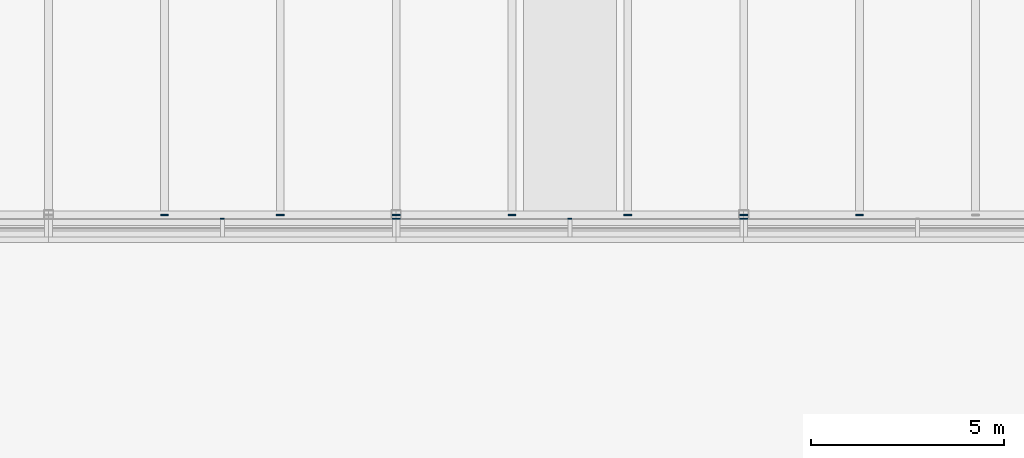
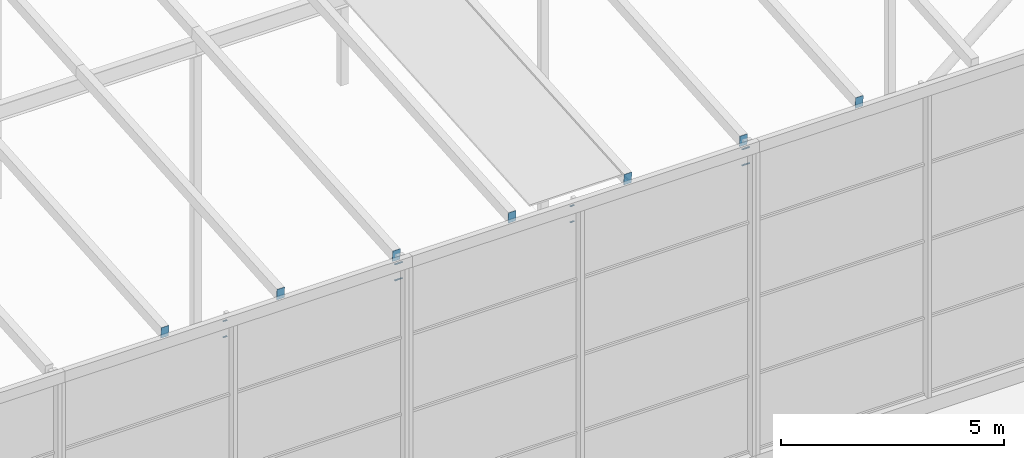
# One storey, part 62 of 84: 19 discrete accessories.
"""IFC4 building model written with IfcOpenShell, lengths in metres."""

from ifc_helpers import new_model, si_unit, direction, frame, origin, origin_2d, place, context, subcontext, project, spatial, rectangle, extrude, material, layer, layer_set, type_object, element, save


model = new_model("IFC4")

# Units and contexts
model_context = context("Model", 3, precision=1e-05, world=origin(), true_north=direction((0.0, 1.0)))
body_context = subcontext(model_context, "Body", "Model", "MODEL_VIEW")
ifc_project = project(units=[si_unit("LENGTHUNIT", "METRE"), si_unit("AREAUNIT", "SQUARE_METRE"), si_unit("VOLUMEUNIT", "CUBIC_METRE"), si_unit("PLANEANGLEUNIT", "RADIAN"), si_unit("MASSUNIT", "GRAM", prefix="KILO")], contexts=[model_context])

# Site, building, storey
site_placement = place(None, origin())
site = spatial("IfcSite", under=ifc_project, at=site_placement, CompositionType="ELEMENT")
building_placement = place(site_placement, origin())
building = spatial("IfcBuilding", under=site, at=building_placement, Name="Silverbay Arena", CompositionType="ELEMENT")
storey_placement = place(building_placement, frame((0.0, 0.0, 47.10009765625)))
storey = spatial("IfcBuildingStorey", under=building, at=storey_placement, Name="ROOF", CompositionType="ELEMENT", Elevation=47.10009765625)

# Discrete accessories
ifc_material_1 = material(Name="Steel S355", Category="steel")
ifc_layer = layer(ifc_material_1, 0.011962890625)
ifc_layer_set = layer_set([ifc_layer], Name="Steel S355")
discrete_accessory_type_1 = type_object("IfcDiscreteAccessoryType", Name="Purlin end plate 12", PredefinedType="USERDEFINED", material=ifc_layer_set)
for number, where, z_axis, x_axis, name in (
    (1, (102.0, 27.0, 8.74951171875), (0.0, -0.996684615823, -0.081362009455), (1.0, 0.0, 0.0), "Purlin end plate"),
    (2, (105.0, 27.0, 8.74951171875), (0.0, -0.996684615823, -0.081362009455), (1.0, 0.0, 0.0), "Purlin end plate"),
    (3, (108.0, 27.0, 8.74951171875), (0.0, -0.996684615823, -0.081362009455), (1.0, 0.0, 0.0), "Purlin end plate"),
    (4, (111.0, 27.0, 8.74951171875), (0.0, -0.996684615823, -0.081362009455), (1.0, 0.0, 0.0), "Purlin end plate"),
    (5, (114.0, 27.0, 8.74951171875), (0.0, -0.996684615823, -0.081362009455), (1.0, 0.0, 0.0), "Purlin end plate"),
    (6, (117.0, 27.0, 8.74951171875), (0.0, -0.996684615823, -0.081362009455), (1.0, 0.0, 0.0), "Purlin end plate"),
    (7, (120.0, 27.0, 8.74951171875), (0.0, -0.996684615823, -0.081362009455), (1.0, 0.0, 0.0), "Purlin end plate"),
):
    element("IfcDiscreteAccessory", number, at=place(storey_placement, frame(where, z_axis=z_axis, x_axis=x_axis)), inside=storey, type_object=discrete_accessory_type_1, Name=name, ObjectType="END PLATE", PredefinedType="USERDEFINED", context=body_context, shape_type="SweptSolid", body=[
        extrude(rectangle(XDim=0.199951171875, YDim=0.300048828125, at=origin_2d()), origin(), (0.0, 0.0, 1.0), 0.011962890625),
    ])
ifc_material_2 = material(Name="Steel S355", Category="steel")
discrete_accessory_type_2 = type_object("IfcDiscreteAccessoryType", Name="Steel bracket plate", PredefinedType="BRACKET", material=ifc_material_2)
for number, where, z_axis, x_axis, name in (
    (8, (103.5, 26.89013671875, 8.58642578125), (0.0, 0.0, 1.0), (1.0, 0.0, 0.0), "Curtain wall packing plate"),
    (9, (103.5, 26.89013671875, 8.145751953125), (0.0, 0.0, 1.0), (1.0, 0.0, 0.0), "Curtain wall packing plate"),
    (10, (107.949951171875, 26.89013671875, 8.58642578125), (0.0, 0.0, 1.0), (1.0, 0.0, 0.0), "Curtain wall packing plate"),
    (11, (107.949951171875, 26.89013671875, 8.145751953125), (0.0, 0.0, 1.0), (1.0, 0.0, 0.0), "Curtain wall packing plate"),
    (12, (108.050048828125, 26.89013671875, 8.58642578125), (0.0, 0.0, 1.0), (1.0, 0.0, 0.0), "Curtain wall packing plate"),
    (13, (108.050048828125, 26.89013671875, 8.145751953125), (0.0, 0.0, 1.0), (1.0, 0.0, 0.0), "Curtain wall packing plate"),
    (14, (112.5, 26.89013671875, 8.58642578125), (0.0, 0.0, 1.0), (1.0, 0.0, 0.0), "Curtain wall packing plate"),
    (15, (112.5, 26.89013671875, 8.145751953125), (0.0, 0.0, 1.0), (1.0, 0.0, 0.0), "Curtain wall packing plate"),
    (16, (116.949951171875, 26.89013671875, 8.58642578125), (0.0, 0.0, 1.0), (1.0, 0.0, 0.0), "Curtain wall packing plate"),
    (17, (116.949951171875, 26.89013671875, 8.145751953125), (0.0, 0.0, 1.0), (1.0, 0.0, 0.0), "Curtain wall packing plate"),
    (18, (117.050048828125, 26.89013671875, 8.58642578125), (0.0, 0.0, 1.0), (1.0, 0.0, 0.0), "Curtain wall packing plate"),
    (19, (117.050048828125, 26.89013671875, 8.145751953125), (0.0, 0.0, 1.0), (1.0, 0.0, 0.0), "Curtain wall packing plate"),
):
    element("IfcDiscreteAccessory", number, at=place(storey_placement, frame(where, z_axis=z_axis, x_axis=x_axis)), inside=storey, type_object=discrete_accessory_type_2, Name=name, PredefinedType="BRACKET", context=body_context, shape_type="SweptSolid", body=[
        extrude(rectangle(XDim=0.10009765625, YDim=0.030029296875, at=origin_2d()), origin(), (0.0, 0.0, 1.0), 0.0126953125),
    ])

save(model, "model.ifc")
